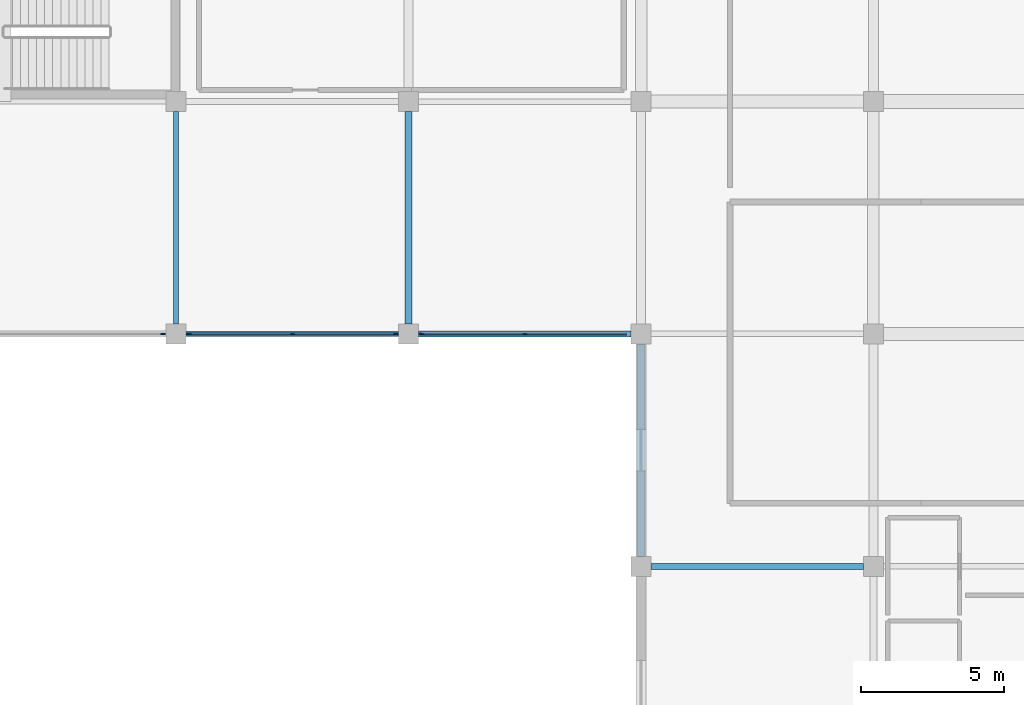
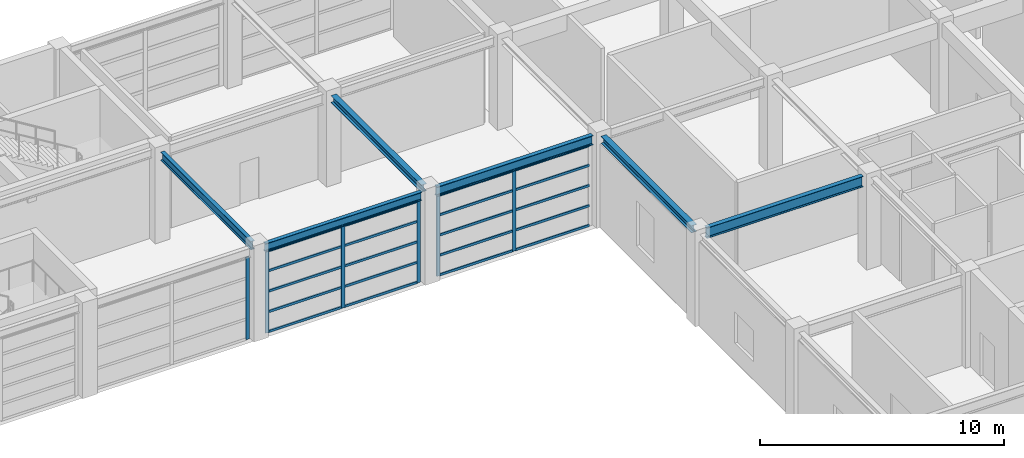
# One storey, part 32 of 58: 26 members, 6 beams, 3 elements without a shape of their own.
"""IFC4 building model written with IfcOpenShell, lengths in metres."""

import ifcopenshell
import ifcopenshell.guid

model = None  # the IFC model being written
_history = None  # IfcOwnerHistory: only IFC2X3 demands one
_inside = {}  # id of a spatial element -> (the spatial element, [elements in it])
_under = {}  # id of a project, library or spatial element -> (it, [spatial elements below it])
_declared = {}  # id of a project -> (the project, [libraries it declares])
_typed = {}  # id of a type object -> (the type object, [elements of that type])
_made_of = {}  # id of a material, layer set ... -> (it, [elements and type objects made of it])


def new_model(schema):
    """Start an empty IFC model of exactly this schema.

    Asked for "IFC4X3", IfcOpenShell would pick the latest addendum, in which some entities
    have other attributes; the version numbers below select the first issue.
    IFC2X3 requires an IfcOwnerHistory on every rooted entity: one is made here for all.
    """
    global model, _history
    if schema == "IFC4X3":
        model = ifcopenshell.file(schema_version=(4, 3, 0, 0))
    else:
        model = ifcopenshell.file(schema=schema)
    _inside.clear()
    _under.clear()
    _declared.clear()
    _typed.clear()
    _made_of.clear()
    _history = None
    if model.schema == "IFC2X3":
        org = make("IfcOrganization", Name="unknown")
        user = make(
            "IfcPersonAndOrganization",
            ThePerson=make("IfcPerson", FamilyName="unknown"),
            TheOrganization=org,
        )
        app = make(
            "IfcApplication",
            ApplicationDeveloper=org,
            Version="unknown",
            ApplicationFullName="unknown",
            ApplicationIdentifier="unknown",
        )
        _history = make(
            "IfcOwnerHistory",
            OwningUser=user,
            OwningApplication=app,
            ChangeAction="ADDED",
            CreationDate=0,
        )
    return model


def make(cls, **values):
    """One entity of the class cls with the attributes given. An attribute that is None is left unset."""
    return model.create_entity(
        cls, **{name: value for name, value in values.items() if value is not None}
    )


def rooted(cls, **values):
    """An entity with a GlobalId (a new one), such as an element, a storey or a relation."""
    return make(cls, GlobalId=ifcopenshell.guid.new(), OwnerHistory=_history, **values)


def si_unit(unit_type, name, prefix=None):
    """IfcSIUnit, for example si_unit("LENGTHUNIT", "METRE", prefix="MILLI")."""
    return make("IfcSIUnit", UnitType=unit_type, Prefix=prefix, Name=name)


def assignment(units):
    """IfcUnitAssignment: the units of a project."""
    return None if units is None else make("IfcUnitAssignment", Units=units)


def point(xyz):
    """IfcCartesianPoint."""
    return None if xyz is None else make("IfcCartesianPoint", Coordinates=xyz)


def direction(xyz):
    """IfcDirection."""
    return None if xyz is None else make("IfcDirection", DirectionRatios=xyz)


def frame(location, z_axis=None, x_axis=None):
    """IfcAxis2Placement3D, a coordinate frame: its origin and axes. An axis left out is left unset."""
    return make(
        "IfcAxis2Placement3D",
        Location=point(location),
        Axis=direction(z_axis),
        RefDirection=direction(x_axis),
    )


def frame_2d(location, x_axis=None):
    """IfcAxis2Placement2D, a coordinate frame in the plane: its origin and x axis."""
    return make(
        "IfcAxis2Placement2D", Location=point(location), RefDirection=direction(x_axis)
    )


def origin():
    """The frame at (0, 0, 0) with its axes left unset."""
    return frame((0.0, 0.0, 0.0))


def origin_2d():
    """The frame at (0, 0) in the plane with its x axis left unset."""
    return frame_2d((0.0, 0.0))


def place(relative_to, where):
    """IfcLocalPlacement: puts the frame where relative to a parent placement (None: the world)."""
    return make(
        "IfcLocalPlacement", PlacementRelTo=relative_to, RelativePlacement=where
    )


def context(
    kind, dimensions, precision=None, world=None, true_north=None, identifier=None
):
    """IfcGeometricRepresentationContext, for example the 3D "Model" context."""
    return make(
        "IfcGeometricRepresentationContext",
        ContextIdentifier=identifier,
        ContextType=kind,
        CoordinateSpaceDimension=dimensions,
        Precision=precision,
        WorldCoordinateSystem=world,
        TrueNorth=true_north,
    )


def subcontext(parent, identifier, kind, view, scale=None):
    """IfcGeometricRepresentationSubContext, for example "Body" below "Model"."""
    return make(
        "IfcGeometricRepresentationSubContext",
        ContextIdentifier=identifier,
        ContextType=kind,
        ParentContext=parent,
        TargetScale=scale,
        TargetView=view,
    )


def project(units=None, contexts=None):
    """IfcProject with its units and contexts."""
    return rooted(
        "IfcProject",
        Name="project",
        RepresentationContexts=contexts,
        UnitsInContext=assignment(units),
    )


def spatial(cls, under=None, at=None, **own):
    """A site, building, storey or space (cls), placed at a placement, below another one or the project."""
    s = rooted(cls, ObjectPlacement=at, **own)
    if under is not None:
        _under.setdefault(under.id(), (under, []))[1].append(s)
    return s


def profile(cls, at=None, kind="AREA", **sizes):
    """A parametric profile (cls). Its sizes go by their IFC names, for example OverallWidth=200.0."""
    return make(cls, ProfileType=kind, Position=at, **sizes)


def rectangle(**sizes):
    """IfcRectangleProfileDef."""
    return profile("IfcRectangleProfileDef", **sizes)


def i_section(**sizes):
    """IfcIShapeProfileDef."""
    return profile("IfcIShapeProfileDef", **sizes)


def extrude(swept, where, along, depth):
    """IfcExtrudedAreaSolid: the profile swept, set in the frame where, extruded along a direction by depth."""
    return make(
        "IfcExtrudedAreaSolid",
        SweptArea=swept,
        Position=where,
        ExtrudedDirection=direction(along),
        Depth=depth,
    )


def shape(context_of_items, identifier, shape_type, items):
    """IfcShapeRepresentation: the items that make up one representation, for example the "Body"."""
    return make(
        "IfcShapeRepresentation",
        ContextOfItems=context_of_items,
        RepresentationIdentifier=identifier,
        RepresentationType=shape_type,
        Items=items,
    )


def material(Name=None, Category=None):
    """IfcMaterial."""
    return make("IfcMaterial", Name=Name, Category=Category)


def material_profile(
    of_material, cross_section, Name=None, Category=None, Priority=None
):
    """IfcMaterialProfile: a cross section and its material."""
    return make(
        "IfcMaterialProfile",
        Name=Name,
        Material=of_material,
        Profile=cross_section,
        Priority=Priority,
        Category=Category,
    )


def profile_set(profiles, Name=None, composite=None):
    """IfcMaterialProfileSet."""
    return make(
        "IfcMaterialProfileSet",
        Name=Name,
        MaterialProfiles=profiles,
        CompositeProfile=composite,
    )


def made_of(thing, what):
    """Note that an element or type object is made of a material, layer set ...; save() writes the relation."""
    if what is not None:
        _made_of.setdefault(what.id(), (what, []))[1].append(thing)
    return thing


def type_object(cls, material=None, **own):
    """A type object (cls), such as IfcWallType, which elements share."""
    return made_of(rooted(cls, **own), material)


def element(
    cls,
    number,
    at=None,
    inside=None,
    cuts=None,
    type_object=None,
    material=None,
    context=None,
    identifier="Body",
    shape_type=None,
    held_by="IfcProductDefinitionShape",
    body=None,
    shapes=None,
    **own,
):
    """One element of the class cls, such as IfcWall. Its Tag is "e" and its number.

    at: its placement. inside: the storey or other place that contains it. cuts: it is an
    opening in that element (IfcRelVoidsElement). A single representation is given by context,
    identifier, shape_type and body (its items); several are given by shapes. held_by: the class
    of the entity that holds the representations. save() writes the other relations.
    """
    e = rooted(cls, Tag="e%d" % number, ObjectPlacement=at, **own)
    if body is not None:
        shapes = [shape(context, identifier, shape_type, body)]
    if shapes is not None:
        e.Representation = make(held_by, Representations=shapes)
    if inside is not None:
        _inside.setdefault(inside.id(), (inside, []))[1].append(e)
    if cuts is not None:
        rooted(
            "IfcRelVoidsElement", RelatingBuildingElement=cuts, RelatedOpeningElement=e
        )
    if type_object is not None:
        _typed.setdefault(type_object.id(), (type_object, []))[1].append(e)
    return made_of(e, material)


def aggregate(whole, parts):
    """IfcRelAggregates: a whole, such as a stair, and the parts it consists of."""
    return rooted("IfcRelAggregates", RelatingObject=whole, RelatedObjects=parts)


def save(model, path):
    """Write the relations noted so far, then the file.

    IfcRelAggregates (storeys below a building ...), IfcRelContainedInSpatialStructure (elements
    in a storey), IfcRelDefinesByType, IfcRelAssociatesMaterial and IfcRelDeclares: one each for
    every whole, place, type object, material and project.
    """
    for whole, parts in _under.values():
        aggregate(whole, parts)
    for where, things in _inside.values():
        rooted(
            "IfcRelContainedInSpatialStructure",
            RelatedElements=things,
            RelatingStructure=where,
        )
    for kind, things in _typed.values():
        rooted("IfcRelDefinesByType", RelatedObjects=things, RelatingType=kind)
    for what, things in _made_of.values():
        rooted("IfcRelAssociatesMaterial", RelatedObjects=things, RelatingMaterial=what)
    for by, libraries in _declared.values():
        rooted("IfcRelDeclares", RelatingContext=by, RelatedDefinitions=libraries)
    model.write(path)


model = new_model("IFC4")

# Units and contexts
model_context = context("Model", 3, precision=1e-05, world=origin(), true_north=direction((0.0, 1.0)))
body_context = subcontext(model_context, "Body", "Model", "MODEL_VIEW")
ifc_project = project(units=[si_unit("LENGTHUNIT", "METRE"), si_unit("AREAUNIT", "SQUARE_METRE"), si_unit("VOLUMEUNIT", "CUBIC_METRE"), si_unit("PLANEANGLEUNIT", "RADIAN"), si_unit("MASSUNIT", "GRAM", prefix="KILO")], contexts=[model_context])

# Site, building, storey
site_placement = place(None, origin())
site = spatial("IfcSite", under=ifc_project, at=site_placement, CompositionType="ELEMENT")
building_placement = place(site_placement, origin())
building = spatial("IfcBuilding", under=site, at=building_placement, Name="Parian Resonance Hall", CompositionType="ELEMENT")
storey_placement = place(building_placement, frame((0.0, 0.0, 10.199951171875)))
storey = spatial("IfcBuildingStorey", under=building, at=storey_placement, Name="L02", CompositionType="ELEMENT", Elevation=10.199951171875)

# Beams
ifc_material_1 = material(Name="Steel S355", Category="steel")
ifc_material_profile_1 = material_profile(ifc_material_1, i_section(OverallWidth=0.2548828125, OverallDepth=0.35693359375, WebThickness=0.010498046875, FlangeThickness=0.018310546875, FilletRadius=0.01513671875, at=origin_2d()), Name="W360x101")
ifc_profile_set_1 = profile_set([ifc_material_profile_1], Name="Steel S355")
beam_type_1 = type_object("IfcBeamType", Name="BM-W360x101", PredefinedType="SPANDREL", material=ifc_profile_set_1)
beam_1_placement = place(storey_placement, frame((105.300048828125, 73.25, 4.33154296875), z_axis=(0.0, 1.0, 0.0), x_axis=(-1.0, 0.0, 0.0)))
element("IfcBeam", 1, at=beam_1_placement, inside=storey, type_object=beam_type_1, Name="GY-L02-0775", PredefinedType="SPANDREL", context=body_context, shape_type="SweptSolid", body=[
    extrude(i_section(OverallWidth=0.2548828125, OverallDepth=0.35693359375, WebThickness=0.010498046875, FlangeThickness=0.018310546875, FilletRadius=0.01513671875, at=origin_2d()), origin(), (0.0, 0.0, 1.0), 7.39990234375),
])
beam_2_placement = place(storey_placement, frame((113.39990234375, 65.14990234375, 4.37158203125), z_axis=(0.0, 1.0, 0.0), x_axis=(-1.0, 0.0, 0.0)))
element("IfcBeam", 2, at=beam_2_placement, inside=storey, type_object=beam_type_1, Name="GY-L02-0785", PredefinedType="SPANDREL", context=body_context, shape_type="SweptSolid", body=[
    extrude(i_section(OverallWidth=0.2548828125, OverallDepth=0.35693359375, WebThickness=0.010498046875, FlangeThickness=0.018310546875, FilletRadius=0.01513671875, at=origin_2d()), origin(), (0.0, 0.0, 1.0), 7.400146484375),
])
ifc_material_2 = material(Name="Steel S355", Category="steel")
ifc_material_profile_2 = material_profile(ifc_material_2, i_section(OverallWidth=0.180908203125, OverallDepth=0.4169921875, WebThickness=0.010986328125, FlangeThickness=0.018310546875, FilletRadius=0.01513671875, at=origin_2d()), Name="W410x85")
ifc_profile_set_2 = profile_set([ifc_material_profile_2], Name="Steel S355")
beam_type_2 = type_object("IfcBeamType", Name="BM-W410x85", PredefinedType="SPANDREL", material=ifc_profile_set_2)
for number, where, z_axis, x_axis, name in (
    (3, (97.550048828125, 72.89990234375, 4.301513671875), (1.0, 0.0, 0.0), (0.0, 1.0, 0.0), "GX-L02-0702"),
    (4, (97.199951171875, 73.25, 4.301513671875), (0.0, 1.0, 0.0), (-1.0, 0.0, 0.0), "GY-L02-0770"),
):
    element("IfcBeam", number, at=place(storey_placement, frame(where, z_axis=z_axis, x_axis=x_axis)), inside=storey, type_object=beam_type_2, Name=name, PredefinedType="SPANDREL", context=body_context, shape_type="SweptSolid", body=[
        extrude(i_section(OverallWidth=0.180908203125, OverallDepth=0.4169921875, WebThickness=0.010986328125, FlangeThickness=0.018310546875, FilletRadius=0.01513671875, at=origin_2d()), origin(), (0.0, 0.0, 1.0), 7.39990234375),
    ])
ifc_material_3 = material(Name="Steel S355", Category="steel")
ifc_material_profile_3 = material_profile(ifc_material_3, i_section(OverallWidth=0.194091796875, OverallDepth=0.468994140625, WebThickness=0.0126953125, FlangeThickness=0.0205078125, FilletRadius=0.01513671875, at=origin_2d()), Name="W460x106")
ifc_profile_set_3 = profile_set([ifc_material_profile_3], Name="Steel S355")
beam_type_3 = type_object("IfcBeamType", Name="BM-W460x106", PredefinedType="SPANDREL", material=ifc_profile_set_3)
beam_3_placement = place(storey_placement, frame((105.64990234375, 72.89990234375, 4.275634765625), z_axis=(1.0, 0.0, 0.0), x_axis=(0.0, 1.0, 0.0)))
element("IfcBeam", 5, at=beam_3_placement, inside=storey, type_object=beam_type_3, Name="GX-L02-0709", PredefinedType="SPANDREL", context=body_context, shape_type="SweptSolid", body=[
    extrude(i_section(OverallWidth=0.194091796875, OverallDepth=0.468994140625, WebThickness=0.0126953125, FlangeThickness=0.0205078125, FilletRadius=0.01513671875, at=origin_2d()), origin(), (0.0, 0.0, 1.0), 7.400146484375),
])
ifc_material_4 = material(Name="Steel S355", Category="steel")
ifc_material_profile_4 = material_profile(ifc_material_4, i_section(OverallWidth=0.208984375, OverallDepth=0.532958984375, WebThickness=0.01025390625, FlangeThickness=0.015625, FilletRadius=0.017822265625, at=origin_2d()), Name="W530x92")
ifc_profile_set_4 = profile_set([ifc_material_profile_4], Name="Steel S355")
beam_type_4 = type_object("IfcBeamType", Name="BM-W530x92", PredefinedType="BEAM", material=ifc_profile_set_4)
beam_4_placement = place(storey_placement, frame((113.75, 64.800048828125, 4.283447265625), z_axis=(1.0, 0.0, 0.0), x_axis=(0.0, 1.0, 0.0)))
element("IfcBeam", 6, at=beam_4_placement, inside=storey, type_object=beam_type_4, Name="GX-L02-0718", PredefinedType="BEAM", context=body_context, shape_type="SweptSolid", body=[
    extrude(i_section(OverallWidth=0.208984375, OverallDepth=0.532958984375, WebThickness=0.01025390625, FlangeThickness=0.015625, FilletRadius=0.017822265625, at=origin_2d()), origin(), (0.0, 0.0, 1.0), 7.39990234375),
])

# Curtain wall, member
ifc_material_5 = material(Name="Bronze-anodised aluminium frame", Category="aluminium")
curtain_wall_type_1 = type_object("IfcCurtainWallType", Name="CW-SYS-02", PredefinedType="NOTDEFINED", material=ifc_material_5)
curtain_wall_1_placement = place(storey_placement, origin())
curtain_wall_1 = element("IfcCurtainWall", 7, at=curtain_wall_1_placement, inside=storey, type_object=curtain_wall_type_1, Name="Curtain wall CW-L02-119", PredefinedType="NOTDEFINED")
ifc_material_6 = material(Name="Bronze-anodised aluminium frame", Category="aluminium")
ifc_material_profile_5 = material_profile(ifc_material_6, rectangle(XDim=0.06494140625, YDim=0.159912109375, at=origin_2d()), Name="CWM-65x160")
ifc_profile_set_5 = profile_set([ifc_material_profile_5], Name="Bronze-anodised aluminium frame")
member_type_1 = type_object("IfcMemberType", Name="CWM-65x160", PredefinedType="MULLION", material=ifc_profile_set_5)
member_1_placement = place(storey_placement, frame((96.737548828125, 72.89990234375, -0.008056640625), z_axis=(0.0, 0.0, 1.0), x_axis=(0.0, -1.0, 0.0)))
member_1 = element("IfcMember", 8, at=member_1_placement, type_object=member_type_1, Name="CW-02 mullion 1", PredefinedType="MULLION", context=body_context, shape_type="SweptSolid", body=[
    extrude(rectangle(XDim=0.06494140625, YDim=0.159912109375, at=origin_2d()), origin(), (0.0, 0.0, 1.0), 4.10302734375),
])
aggregate(curtain_wall_1, [member_1])

# Curtain wall, members
ifc_material_7 = material(Name="Bronze-anodised aluminium frame", Category="aluminium")
curtain_wall_type_2 = type_object("IfcCurtainWallType", Name="CW-SYS-03", PredefinedType="NOTDEFINED", material=ifc_material_7)
curtain_wall_2_placement = place(storey_placement, origin())
curtain_wall_2 = element("IfcCurtainWall", 9, at=curtain_wall_2_placement, inside=storey, type_object=curtain_wall_type_2, Name="Curtain wall CW-L02-125", PredefinedType="NOTDEFINED")
member_2_placement = place(storey_placement, frame((104.83740234375, 72.89990234375, -0.008056640625), z_axis=(0.0, 0.0, 1.0), x_axis=(0.0, -1.0, 0.0)))
member_2 = element("IfcMember", 10, at=member_2_placement, type_object=member_type_1, Name="CW-03 mullion 1", PredefinedType="MULLION", context=body_context, shape_type="SweptSolid", body=[
    extrude(rectangle(XDim=0.06494140625, YDim=0.159912109375, at=origin_2d()), origin(), (0.0, 0.0, 1.0), 4.105224609375),
])
member_3_placement = place(storey_placement, frame((101.25, 72.89990234375, -0.008056640625), z_axis=(0.0, 0.0, 1.0), x_axis=(0.0, -1.0, 0.0)))
member_3 = element("IfcMember", 11, at=member_3_placement, type_object=member_type_1, Name="CW-03 mullion 2", PredefinedType="MULLION", context=body_context, shape_type="SweptSolid", body=[
    extrude(rectangle(XDim=0.06494140625, YDim=0.159912109375, at=origin_2d()), origin(), (0.0, 0.0, 1.0), 4.105224609375),
])
member_4_placement = place(storey_placement, frame((97.66259765625, 72.89990234375, -0.008056640625), z_axis=(0.0, 0.0, 1.0), x_axis=(0.0, -1.0, 0.0)))
member_4 = element("IfcMember", 12, at=member_4_placement, type_object=member_type_1, Name="CW-03 mullion 3", PredefinedType="MULLION", context=body_context, shape_type="SweptSolid", body=[
    extrude(rectangle(XDim=0.06494140625, YDim=0.159912109375, at=origin_2d()), origin(), (0.0, 0.0, 1.0), 4.105224609375),
])

ifc_material_8 = material(Name="Bronze-anodised aluminium frame", Category="aluminium")
curtain_wall_type_3 = type_object("IfcCurtainWallType", Name="CW-SYS-04", PredefinedType="NOTDEFINED", material=ifc_material_8)
curtain_wall_3_placement = place(storey_placement, origin())
curtain_wall_3 = element("IfcCurtainWall", 13, at=curtain_wall_3_placement, inside=storey, type_object=curtain_wall_type_3, Name="Curtain wall CW-L02-129", PredefinedType="NOTDEFINED")
member_5_placement = place(storey_placement, frame((109.35009765625, 72.89990234375, -0.008056640625), z_axis=(0.0, 0.0, 1.0), x_axis=(0.0, -1.0, 0.0)))
member_5 = element("IfcMember", 14, at=member_5_placement, type_object=member_type_1, Name="CW-04 mullion 2", PredefinedType="MULLION", context=body_context, shape_type="SweptSolid", body=[
    extrude(rectangle(XDim=0.06494140625, YDim=0.159912109375, at=origin_2d()), origin(), (0.0, 0.0, 1.0), 4.05322265625),
])
member_6_placement = place(storey_placement, frame((105.762451171875, 72.89990234375, -0.008056640625), z_axis=(0.0, 0.0, 1.0), x_axis=(0.0, -1.0, 0.0)))
member_6 = element("IfcMember", 15, at=member_6_placement, type_object=member_type_1, Name="CW-04 mullion 3", PredefinedType="MULLION", context=body_context, shape_type="SweptSolid", body=[
    extrude(rectangle(XDim=0.06494140625, YDim=0.159912109375, at=origin_2d()), origin(), (0.0, 0.0, 1.0), 4.05322265625),
])

# Member
ifc_material_9 = material(Name="Bronze-anodised aluminium frame", Category="aluminium")
ifc_material_profile_6 = material_profile(ifc_material_9, rectangle(XDim=0.06494140625, YDim=0.1201171875, at=origin_2d()), Name="CWT-65x120")
ifc_profile_set_6 = profile_set([ifc_material_profile_6], Name="Bronze-anodised aluminium frame")
member_type_2 = type_object("IfcMemberType", Name="CWT-65x120", PredefinedType="USERDEFINED", material=ifc_profile_set_6)
member_7_placement = place(storey_placement, frame((104.804931640625, 72.89990234375, 0.024658203125), z_axis=(-1.0, 0.0, 0.0), x_axis=(0.0, -1.0, 0.0)))
member_7 = element("IfcMember", 16, at=member_7_placement, type_object=member_type_2, Name="CW-03 transom 1.1", ObjectType="TRANSOM", PredefinedType="USERDEFINED", context=body_context, shape_type="SweptSolid", body=[
    extrude(rectangle(XDim=0.06494140625, YDim=0.1201171875, at=origin_2d()), origin(), (0.0, 0.0, 1.0), 3.5224609375),
])

member_8_placement = place(storey_placement, frame((104.804931640625, 72.89990234375, 1.021728515625), z_axis=(-1.0, 0.0, 0.0), x_axis=(0.0, -1.0, 0.0)))
member_8 = element("IfcMember", 17, at=member_8_placement, type_object=member_type_2, Name="CW-03 transom 1.2", ObjectType="TRANSOM", PredefinedType="USERDEFINED", context=body_context, shape_type="SweptSolid", body=[
    extrude(rectangle(XDim=0.06494140625, YDim=0.1201171875, at=origin_2d()), origin(), (0.0, 0.0, 1.0), 3.5224609375),
])

member_9_placement = place(storey_placement, frame((104.804931640625, 72.89990234375, 2.04345703125), z_axis=(-1.0, 0.0, 0.0), x_axis=(0.0, -1.0, 0.0)))
member_9 = element("IfcMember", 18, at=member_9_placement, type_object=member_type_2, Name="CW-03 transom 1.3", ObjectType="TRANSOM", PredefinedType="USERDEFINED", context=body_context, shape_type="SweptSolid", body=[
    extrude(rectangle(XDim=0.06494140625, YDim=0.1201171875, at=origin_2d()), origin(), (0.0, 0.0, 1.0), 3.5224609375),
])

member_10_placement = place(storey_placement, frame((104.804931640625, 72.89990234375, 3.065185546875), z_axis=(-1.0, 0.0, 0.0), x_axis=(0.0, -1.0, 0.0)))
member_10 = element("IfcMember", 19, at=member_10_placement, type_object=member_type_2, Name="CW-03 transom 1.4", ObjectType="TRANSOM", PredefinedType="USERDEFINED", context=body_context, shape_type="SweptSolid", body=[
    extrude(rectangle(XDim=0.06494140625, YDim=0.1201171875, at=origin_2d()), origin(), (0.0, 0.0, 1.0), 3.5224609375),
])

member_11_placement = place(storey_placement, frame((104.804931640625, 72.89990234375, 4.064453125), z_axis=(-1.0, 0.0, 0.0), x_axis=(0.0, -1.0, 0.0)))
member_11 = element("IfcMember", 20, at=member_11_placement, type_object=member_type_2, Name="CW-03 transom 1.5", ObjectType="TRANSOM", PredefinedType="USERDEFINED", context=body_context, shape_type="SweptSolid", body=[
    extrude(rectangle(XDim=0.06494140625, YDim=0.1201171875, at=origin_2d()), origin(), (0.0, 0.0, 1.0), 3.5224609375),
])

member_12_placement = place(storey_placement, frame((101.217529296875, 72.89990234375, 0.024658203125), z_axis=(-1.0, 0.0, 0.0), x_axis=(0.0, -1.0, 0.0)))
member_12 = element("IfcMember", 21, at=member_12_placement, type_object=member_type_2, Name="CW-03 transom 2.1", ObjectType="TRANSOM", PredefinedType="USERDEFINED", context=body_context, shape_type="SweptSolid", body=[
    extrude(rectangle(XDim=0.06494140625, YDim=0.1201171875, at=origin_2d()), origin(), (0.0, 0.0, 1.0), 3.5224609375),
])

member_13_placement = place(storey_placement, frame((101.217529296875, 72.89990234375, 1.021728515625), z_axis=(-1.0, 0.0, 0.0), x_axis=(0.0, -1.0, 0.0)))
member_13 = element("IfcMember", 22, at=member_13_placement, type_object=member_type_2, Name="CW-03 transom 2.2", ObjectType="TRANSOM", PredefinedType="USERDEFINED", context=body_context, shape_type="SweptSolid", body=[
    extrude(rectangle(XDim=0.06494140625, YDim=0.1201171875, at=origin_2d()), origin(), (0.0, 0.0, 1.0), 3.5224609375),
])

member_14_placement = place(storey_placement, frame((101.217529296875, 72.89990234375, 2.04345703125), z_axis=(-1.0, 0.0, 0.0), x_axis=(0.0, -1.0, 0.0)))
member_14 = element("IfcMember", 23, at=member_14_placement, type_object=member_type_2, Name="CW-03 transom 2.3", ObjectType="TRANSOM", PredefinedType="USERDEFINED", context=body_context, shape_type="SweptSolid", body=[
    extrude(rectangle(XDim=0.06494140625, YDim=0.1201171875, at=origin_2d()), origin(), (0.0, 0.0, 1.0), 3.5224609375),
])

member_15_placement = place(storey_placement, frame((101.217529296875, 72.89990234375, 3.065185546875), z_axis=(-1.0, 0.0, 0.0), x_axis=(0.0, -1.0, 0.0)))
member_15 = element("IfcMember", 24, at=member_15_placement, type_object=member_type_2, Name="CW-03 transom 2.4", ObjectType="TRANSOM", PredefinedType="USERDEFINED", context=body_context, shape_type="SweptSolid", body=[
    extrude(rectangle(XDim=0.06494140625, YDim=0.1201171875, at=origin_2d()), origin(), (0.0, 0.0, 1.0), 3.5224609375),
])

member_16_placement = place(storey_placement, frame((101.217529296875, 72.89990234375, 4.064453125), z_axis=(-1.0, 0.0, 0.0), x_axis=(0.0, -1.0, 0.0)))
member_16 = element("IfcMember", 25, at=member_16_placement, type_object=member_type_2, Name="CW-03 transom 2.5", ObjectType="TRANSOM", PredefinedType="USERDEFINED", context=body_context, shape_type="SweptSolid", body=[
    extrude(rectangle(XDim=0.06494140625, YDim=0.1201171875, at=origin_2d()), origin(), (0.0, 0.0, 1.0), 3.5224609375),
])

aggregate(curtain_wall_2, [member_2, member_3, member_4, member_7, member_8, member_9, member_10, member_11, member_12, member_13, member_14, member_15, member_16])

member_17_placement = place(storey_placement, frame((112.905029296875, 72.89990234375, 0.024658203125), z_axis=(-1.0, 0.0, 0.0), x_axis=(0.0, -1.0, 0.0)))
member_17 = element("IfcMember", 26, at=member_17_placement, type_object=member_type_2, Name="CW-04 transom 1.1", ObjectType="TRANSOM", PredefinedType="USERDEFINED", context=body_context, shape_type="SweptSolid", body=[
    extrude(rectangle(XDim=0.06494140625, YDim=0.1201171875, at=origin_2d()), origin(), (0.0, 0.0, 1.0), 3.5224609375),
])

member_18_placement = place(storey_placement, frame((112.905029296875, 72.89990234375, 1.0087890625), z_axis=(-1.0, 0.0, 0.0), x_axis=(0.0, -1.0, 0.0)))
member_18 = element("IfcMember", 27, at=member_18_placement, type_object=member_type_2, Name="CW-04 transom 1.2", ObjectType="TRANSOM", PredefinedType="USERDEFINED", context=body_context, shape_type="SweptSolid", body=[
    extrude(rectangle(XDim=0.06494140625, YDim=0.1201171875, at=origin_2d()), origin(), (0.0, 0.0, 1.0), 3.5224609375),
])

member_19_placement = place(storey_placement, frame((112.905029296875, 72.89990234375, 2.017578125), z_axis=(-1.0, 0.0, 0.0), x_axis=(0.0, -1.0, 0.0)))
member_19 = element("IfcMember", 28, at=member_19_placement, type_object=member_type_2, Name="CW-04 transom 1.3", ObjectType="TRANSOM", PredefinedType="USERDEFINED", context=body_context, shape_type="SweptSolid", body=[
    extrude(rectangle(XDim=0.06494140625, YDim=0.1201171875, at=origin_2d()), origin(), (0.0, 0.0, 1.0), 3.5224609375),
])

member_20_placement = place(storey_placement, frame((112.905029296875, 72.89990234375, 3.0263671875), z_axis=(-1.0, 0.0, 0.0), x_axis=(0.0, -1.0, 0.0)))
member_20 = element("IfcMember", 29, at=member_20_placement, type_object=member_type_2, Name="CW-04 transom 1.4", ObjectType="TRANSOM", PredefinedType="USERDEFINED", context=body_context, shape_type="SweptSolid", body=[
    extrude(rectangle(XDim=0.06494140625, YDim=0.1201171875, at=origin_2d()), origin(), (0.0, 0.0, 1.0), 3.5224609375),
])

member_21_placement = place(storey_placement, frame((112.905029296875, 72.89990234375, 4.012451171875), z_axis=(-1.0, 0.0, 0.0), x_axis=(0.0, -1.0, 0.0)))
member_21 = element("IfcMember", 30, at=member_21_placement, type_object=member_type_2, Name="CW-04 transom 1.5", ObjectType="TRANSOM", PredefinedType="USERDEFINED", context=body_context, shape_type="SweptSolid", body=[
    extrude(rectangle(XDim=0.06494140625, YDim=0.1201171875, at=origin_2d()), origin(), (0.0, 0.0, 1.0), 3.5224609375),
])

member_22_placement = place(storey_placement, frame((109.3173828125, 72.89990234375, 0.024658203125), z_axis=(-1.0, 0.0, 0.0), x_axis=(0.0, -1.0, 0.0)))
member_22 = element("IfcMember", 31, at=member_22_placement, type_object=member_type_2, Name="CW-04 transom 2.1", ObjectType="TRANSOM", PredefinedType="USERDEFINED", context=body_context, shape_type="SweptSolid", body=[
    extrude(rectangle(XDim=0.06494140625, YDim=0.1201171875, at=origin_2d()), origin(), (0.0, 0.0, 1.0), 3.5224609375),
])

member_23_placement = place(storey_placement, frame((109.3173828125, 72.89990234375, 1.0087890625), z_axis=(-1.0, 0.0, 0.0), x_axis=(0.0, -1.0, 0.0)))
member_23 = element("IfcMember", 32, at=member_23_placement, type_object=member_type_2, Name="CW-04 transom 2.2", ObjectType="TRANSOM", PredefinedType="USERDEFINED", context=body_context, shape_type="SweptSolid", body=[
    extrude(rectangle(XDim=0.06494140625, YDim=0.1201171875, at=origin_2d()), origin(), (0.0, 0.0, 1.0), 3.5224609375),
])

member_24_placement = place(storey_placement, frame((109.3173828125, 72.89990234375, 2.017578125), z_axis=(-1.0, 0.0, 0.0), x_axis=(0.0, -1.0, 0.0)))
member_24 = element("IfcMember", 33, at=member_24_placement, type_object=member_type_2, Name="CW-04 transom 2.3", ObjectType="TRANSOM", PredefinedType="USERDEFINED", context=body_context, shape_type="SweptSolid", body=[
    extrude(rectangle(XDim=0.06494140625, YDim=0.1201171875, at=origin_2d()), origin(), (0.0, 0.0, 1.0), 3.5224609375),
])

member_25_placement = place(storey_placement, frame((109.3173828125, 72.89990234375, 3.0263671875), z_axis=(-1.0, 0.0, 0.0), x_axis=(0.0, -1.0, 0.0)))
member_25 = element("IfcMember", 34, at=member_25_placement, type_object=member_type_2, Name="CW-04 transom 2.4", ObjectType="TRANSOM", PredefinedType="USERDEFINED", context=body_context, shape_type="SweptSolid", body=[
    extrude(rectangle(XDim=0.06494140625, YDim=0.1201171875, at=origin_2d()), origin(), (0.0, 0.0, 1.0), 3.5224609375),
])

member_26_placement = place(storey_placement, frame((109.3173828125, 72.89990234375, 4.012451171875), z_axis=(-1.0, 0.0, 0.0), x_axis=(0.0, -1.0, 0.0)))
member_26 = element("IfcMember", 35, at=member_26_placement, type_object=member_type_2, Name="CW-04 transom 2.5", ObjectType="TRANSOM", PredefinedType="USERDEFINED", context=body_context, shape_type="SweptSolid", body=[
    extrude(rectangle(XDim=0.06494140625, YDim=0.1201171875, at=origin_2d()), origin(), (0.0, 0.0, 1.0), 3.5224609375),
])

aggregate(curtain_wall_3, [member_5, member_6, member_17, member_18, member_19, member_20, member_21, member_22, member_23, member_24, member_25, member_26])

save(model, "model.ifc")
